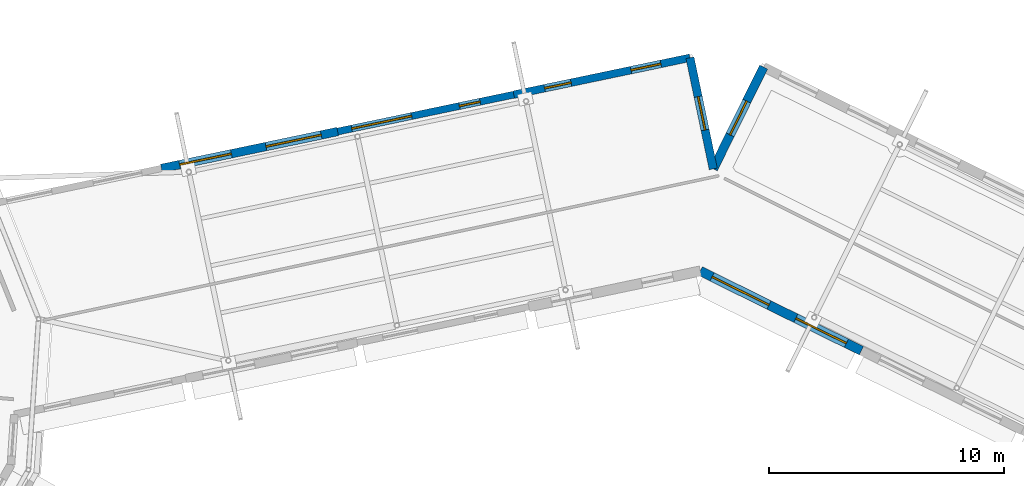
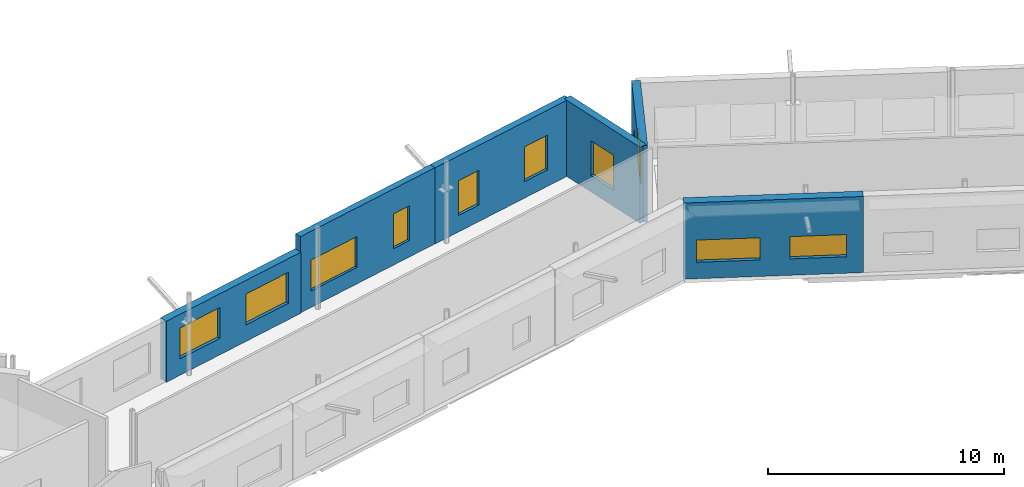
# One storey, part 44 of 68: 10 windows, 6 walls, 10 openings.
"""IFC4 building model written with IfcOpenShell, lengths in metres."""

from ifc_helpers import new_model, si_unit, direction, frame, frame_2d, origin, place, context, subcontext, project, spatial, rectangle, extrude, material, layer, layer_set, type_object, element, fill, save


model = new_model("IFC4")

# Units and contexts
model_context = context("Model", 3, precision=1e-05, world=origin(), true_north=direction((0.0, 1.0)))
body_context = subcontext(model_context, "Body", "Model", "MODEL_VIEW")
ifc_project = project(units=[si_unit("LENGTHUNIT", "METRE"), si_unit("AREAUNIT", "SQUARE_METRE"), si_unit("VOLUMEUNIT", "CUBIC_METRE"), si_unit("PLANEANGLEUNIT", "RADIAN"), si_unit("MASSUNIT", "GRAM", prefix="KILO")], contexts=[model_context])

# Site, building, storey
site_placement = place(None, origin())
site = spatial("IfcSite", under=ifc_project, at=site_placement, CompositionType="ELEMENT")
building_placement = place(site_placement, origin())
building = spatial("IfcBuilding", under=site, at=building_placement, Name="Wrenclough Park School", CompositionType="ELEMENT")
storey_placement = place(building_placement, frame((0.0, 0.0, 12.60009765625)))
storey = spatial("IfcBuildingStorey", under=building, at=storey_placement, Name="L03", CompositionType="ELEMENT", Elevation=12.60009765625)

# Wall, openings, windows
ifc_material_1 = material(Name="Manchester multi-stock brick and Concrete C32/40 inner leaf", Category="masonry")
ifc_layer_1 = layer(ifc_material_1, 0.300048828125)
ifc_layer_set_1 = layer_set([ifc_layer_1], Name="Manchester multi-stock brick and Concrete C32/40 inner leaf")
wall_type_1 = type_object("IfcWallType", Name="ENV-EW-300", PredefinedType="SOLIDWALL", material=ifc_layer_set_1)
wall_1_placement = place(storey_placement, frame((109.985595703125, 118.72509765625, 0.0), z_axis=(0.0, 0.0, 1.0), x_axis=(0.978789137369, 0.204870262772, 0.0)))
wall_1 = element("IfcWall", 1, at=wall_1_placement, inside=storey, type_object=wall_type_1, Name="L03 insulated brick external wall 0280", PredefinedType="SOLIDWALL", context=body_context, shape_type="SweptSolid", body=[
    extrude(rectangle(XDim=7.65185546875, YDim=0.300048828125, at=frame_2d((3.825927734375, 0.0))), origin(), (0.0, 0.0, 1.0), 3.93994140625),
])
opening_1_placement = place(wall_1_placement, frame((0.61279296875, 0.0, 0.85009765625)))
opening_1 = element("IfcOpeningElement", 2, at=opening_1_placement, cuts=wall_1, Name="Opening WN-24", PredefinedType="OPENING", context=body_context, shape_type="SweptSolid", body=[
    extrude(rectangle(XDim=2.60009765625, YDim=1.60009765625, at=frame_2d((1.300048828125, 0.800048828125))), frame((0.0, 0.159912109375, 0.0), z_axis=(0.0, -1.0, 0.0), x_axis=(1.0, 0.0, 0.0)), (0.0, 0.0, 1.0), 0.320068359375),
])
opening_2_placement = place(wall_1_placement, frame((5.288818359375, 0.0, 0.85009765625)))
opening_2 = element("IfcOpeningElement", 3, at=opening_2_placement, cuts=wall_1, Name="Opening WN-25", PredefinedType="OPENING", context=body_context, shape_type="SweptSolid", body=[
    extrude(rectangle(XDim=0.89990234375, YDim=1.800048828125, at=frame_2d((0.449951171875, 0.89990234375))), frame((0.0, 0.159912109375, 0.0), z_axis=(0.0, -1.0, 0.0), x_axis=(1.0, 0.0, 0.0)), (0.0, 0.0, 1.0), 0.320068359375),
])
ifc_material_2 = material(Name="Thermally broken aluminium and double-glazed low-e glass", Category="aluminium")
window_type_1 = type_object("IfcWindowType", Name="ENV-WN-24", PartitioningType="DOUBLE_PANEL_VERTICAL", PredefinedType="WINDOW", material=ifc_material_2)
window_1_placement = place(opening_1_placement, origin())
window_1 = element("IfcWindow", 4, at=window_1_placement, inside=storey, type_object=window_type_1, Name="L03 scheduled facade window 0471", OverallHeight=1.60009765625, OverallWidth=2.60009765625, PartitioningType="SINGLE_PANEL", PredefinedType="WINDOW", context=body_context, shape_type="SweptSolid", body=[
    extrude(rectangle(XDim=2.60009765625, YDim=1.60009765625, at=frame_2d((1.300048828125, 0.800048828125))), frame((0.0, 0.030029296875, 0.0), z_axis=(0.0, -1.0, 0.0), x_axis=(1.0, 0.0, 0.0)), (0.0, 0.0, 1.0), 0.06005859375),
])
fill(opening_1, window_1)
window_type_2 = type_object("IfcWindowType", Name="ENV-WN-25", PartitioningType="SINGLE_PANEL", PredefinedType="WINDOW", material=ifc_material_2)
window_2_placement = place(opening_2_placement, origin())
window_2 = element("IfcWindow", 5, at=window_2_placement, inside=storey, type_object=window_type_2, Name="L03 scheduled facade window 0472", OverallHeight=1.800048828125, OverallWidth=0.89990234375, PartitioningType="SINGLE_PANEL", PredefinedType="WINDOW", context=body_context, shape_type="SweptSolid", body=[
    extrude(rectangle(XDim=0.89990234375, YDim=1.800048828125, at=frame_2d((0.449951171875, 0.89990234375))), frame((0.0, 0.030029296875, 0.0), z_axis=(0.0, -1.0, 0.0), x_axis=(1.0, 0.0, 0.0)), (0.0, 0.0, 1.0), 0.06005859375),
])
fill(opening_2, window_2)

ifc_layer_2 = layer(ifc_material_1, 0.324951171875)
ifc_layer_set_2 = layer_set([ifc_layer_2], Name="Manchester multi-stock brick and Concrete C32/40 inner leaf")
wall_type_2 = type_object("IfcWallType", Name="ENV-EW-325", PredefinedType="SOLIDWALL", material=ifc_layer_set_2)
wall_2_placement = place(storey_placement, frame((117.47509765625, 120.292724609375, 0.0), z_axis=(0.0, 0.0, 1.0), x_axis=(0.978789137369, 0.204870262772, 0.0)))
wall_2 = element("IfcWall", 6, at=wall_2_placement, inside=storey, type_object=wall_type_2, Name="L03 insulated brick external wall 0281", PredefinedType="SOLIDWALL", context=body_context, shape_type="SweptSolid", body=[
    extrude(rectangle(XDim=7.65185546875, YDim=0.324951171875, at=frame_2d((3.825927734375, 0.0))), origin(), (0.0, 0.0, 1.0), 3.93994140625),
])
opening_3_placement = place(wall_2_placement, frame((1.337890625, 0.0, 0.85009765625)))
opening_3 = element("IfcOpeningElement", 7, at=opening_3_placement, cuts=wall_2, Name="Opening WN-26", PredefinedType="OPENING", context=body_context, shape_type="SweptSolid", body=[
    extrude(rectangle(XDim=1.14990234375, YDim=1.800048828125, at=frame_2d((0.574951171875, 0.89990234375))), frame((0.0, 0.17236328125, 0.0), z_axis=(0.0, -1.0, 0.0), x_axis=(1.0, 0.0, 0.0)), (0.0, 0.0, 1.0), 0.344970703125),
])
opening_4_placement = place(wall_2_placement, frame((5.0888671875, 0.0, 0.85009765625)))
opening_4 = element("IfcOpeningElement", 8, at=opening_4_placement, cuts=wall_2, Name="Opening WN-27", PredefinedType="OPENING", context=body_context, shape_type="SweptSolid", body=[
    extrude(rectangle(XDim=1.300048828125, YDim=1.800048828125, at=frame_2d((0.64990234375, 0.89990234375))), frame((0.0, 0.17236328125, 0.0), z_axis=(0.0, -1.0, 0.0), x_axis=(1.0, 0.0, 0.0)), (0.0, 0.0, 1.0), 0.344970703125),
])
window_type_3 = type_object("IfcWindowType", Name="ENV-WN-26", PartitioningType="SINGLE_PANEL", PredefinedType="WINDOW", material=ifc_material_2)
window_3_placement = place(opening_3_placement, origin())
window_3 = element("IfcWindow", 9, at=window_3_placement, inside=storey, type_object=window_type_3, Name="L03 scheduled facade window 0473", OverallHeight=1.800048828125, OverallWidth=1.14990234375, PartitioningType="SINGLE_PANEL", PredefinedType="WINDOW", context=body_context, shape_type="SweptSolid", body=[
    extrude(rectangle(XDim=1.14990234375, YDim=1.800048828125, at=frame_2d((0.574951171875, 0.89990234375))), frame((0.0, 0.030029296875, 0.0), z_axis=(0.0, -1.0, 0.0), x_axis=(1.0, 0.0, 0.0)), (0.0, 0.0, 1.0), 0.06005859375),
])
fill(opening_3, window_3)
window_type_4 = type_object("IfcWindowType", Name="ENV-WN-27", PartitioningType="SINGLE_PANEL", PredefinedType="WINDOW", material=ifc_material_2)
window_4_placement = place(opening_4_placement, origin())
window_4 = element("IfcWindow", 10, at=window_4_placement, inside=storey, type_object=window_type_4, Name="L03 scheduled facade window 0474", OverallHeight=1.800048828125, OverallWidth=1.300048828125, PartitioningType="SINGLE_PANEL", PredefinedType="WINDOW", context=body_context, shape_type="SweptSolid", body=[
    extrude(rectangle(XDim=1.300048828125, YDim=1.800048828125, at=frame_2d((0.64990234375, 0.89990234375))), frame((0.0, 0.030029296875, 0.0), z_axis=(0.0, -1.0, 0.0), x_axis=(1.0, 0.0, 0.0)), (0.0, 0.0, 1.0), 0.06005859375),
])
fill(opening_4, window_4)

# Wall, opening, window
ifc_material_3 = material(Name="Staffordshire blue-grey brick and Concrete C35/45 inner leaf", Category="masonry")
ifc_layer_3 = layer(ifc_material_3, 0.35009765625)
ifc_layer_set_3 = layer_set([ifc_layer_3], Name="Staffordshire blue-grey brick and Concrete C35/45 inner leaf")
wall_type_3 = type_object("IfcWallType", Name="ENV-EW-350", PredefinedType="SOLIDWALL", material=ifc_layer_set_3)
wall_3_placement = place(storey_placement, frame((124.964599609375, 121.8603515625, 0.0), z_axis=(0.0, 0.0, 1.0), x_axis=(0.20488118306, -0.978786851581, 0.0)))
wall_3 = element("IfcWall", 11, at=wall_3_placement, inside=storey, type_object=wall_type_3, Name="L03 insulated brick external wall 0282", PredefinedType="SOLIDWALL", context=body_context, shape_type="SweptSolid", body=[
    extrude(rectangle(XDim=4.8271484375, YDim=0.35009765625, at=frame_2d((2.41357421875, 0.0))), origin(), (0.0, 0.0, 1.0), 3.93994140625),
])
opening_5_placement = place(wall_3_placement, frame((1.6884765625, 0.0, 0.85009765625)))
opening_5 = element("IfcOpeningElement", 12, at=opening_5_placement, cuts=wall_3, Name="Opening WN-28", PredefinedType="OPENING", context=body_context, shape_type="SweptSolid", body=[
    extrude(rectangle(XDim=1.449951171875, YDim=1.800048828125, at=frame_2d((0.72509765625, 0.89990234375))), frame((0.0, 0.18505859375, 0.0), z_axis=(0.0, -1.0, 0.0), x_axis=(1.0, 0.0, 0.0)), (0.0, 0.0, 1.0), 0.3701171875),
])
window_type_5 = type_object("IfcWindowType", Name="ENV-WN-28", PartitioningType="SINGLE_PANEL", PredefinedType="WINDOW", material=ifc_material_2)
window_5_placement = place(opening_5_placement, origin())
window_5 = element("IfcWindow", 13, at=window_5_placement, inside=storey, type_object=window_type_5, Name="L03 scheduled facade window 0475", OverallHeight=1.800048828125, OverallWidth=1.449951171875, PartitioningType="SINGLE_PANEL", PredefinedType="WINDOW", context=body_context, shape_type="SweptSolid", body=[
    extrude(rectangle(XDim=1.449951171875, YDim=1.800048828125, at=frame_2d((0.72509765625, 0.89990234375))), frame((0.0, 0.030029296875, 0.0), z_axis=(0.0, -1.0, 0.0), x_axis=(1.0, 0.0, 0.0)), (0.0, 0.0, 1.0), 0.06005859375),
])
fill(opening_5, window_5)

# Wall, openings, windows
ifc_material_4 = material(Name="Faceted courtyard brick-cavity wall Concrete C35/45", Category="masonry")
ifc_layer_4 = layer(ifc_material_4, 0.364990234375)
ifc_layer_set_4 = layer_set([ifc_layer_4], Name="Faceted courtyard brick-cavity wall Concrete C35/45")
wall_type_4 = type_object("IfcWallType", Name="ENV-EW-365", PredefinedType="SOLIDWALL", material=ifc_layer_set_4)
wall_4_placement = place(storey_placement, frame((102.49609375, 117.15771484375, 0.0), z_axis=(0.0, 0.0, 1.0), x_axis=(0.978795534935, 0.204839695351, 0.0)))
wall_4 = element("IfcWall", 14, at=wall_4_placement, inside=storey, type_object=wall_type_4, Name="L03 insulated brick external wall 0279", PredefinedType="SOLIDWALL", context=body_context, shape_type="SweptSolid", body=[
    extrude(rectangle(XDim=7.65185546875, YDim=0.364990234375, at=frame_2d((3.825927734375, 0.0))), origin(), (0.0, 0.0, 1.0), 3.156982421875),
])
opening_6_placement = place(wall_4_placement, frame((0.787841796875, 0.0, 0.85009765625)))
opening_6 = element("IfcOpeningElement", 15, at=opening_6_placement, cuts=wall_4, Name="Opening WN-22", PredefinedType="OPENING", context=body_context, shape_type="SweptSolid", body=[
    extrude(rectangle(XDim=2.25, YDim=1.60009765625, at=frame_2d((1.125, 0.800048828125))), frame((0.0, 0.1923828125, 0.0), z_axis=(0.0, -1.0, 0.0), x_axis=(1.0, 0.0, 0.0)), (0.0, 0.0, 1.0), 0.385009765625),
])
opening_7_placement = place(wall_4_placement, frame((4.538818359375, 0.0, 0.85009765625)))
opening_7 = element("IfcOpeningElement", 16, at=opening_7_placement, cuts=wall_4, Name="Opening WN-23", PredefinedType="OPENING", context=body_context, shape_type="SweptSolid", body=[
    extrude(rectangle(XDim=2.39990234375, YDim=1.60009765625, at=frame_2d((1.199951171875, 0.800048828125))), frame((0.0, 0.1923828125, 0.0), z_axis=(0.0, -1.0, 0.0), x_axis=(1.0, 0.0, 0.0)), (0.0, 0.0, 1.0), 0.385009765625),
])
window_type_6 = type_object("IfcWindowType", Name="ENV-WN-22", PartitioningType="DOUBLE_PANEL_VERTICAL", PredefinedType="WINDOW", material=ifc_material_2)
window_6_placement = place(opening_6_placement, origin())
window_6 = element("IfcWindow", 17, at=window_6_placement, inside=storey, type_object=window_type_6, Name="L03 scheduled facade window 0469", OverallHeight=1.60009765625, OverallWidth=2.25, PartitioningType="SINGLE_PANEL", PredefinedType="WINDOW", context=body_context, shape_type="SweptSolid", body=[
    extrude(rectangle(XDim=2.25, YDim=1.60009765625, at=frame_2d((1.125, 0.800048828125))), frame((0.0, 0.030029296875, 0.0), z_axis=(0.0, -1.0, 0.0), x_axis=(1.0, 0.0, 0.0)), (0.0, 0.0, 1.0), 0.06005859375),
])
fill(opening_6, window_6)
window_type_7 = type_object("IfcWindowType", Name="ENV-WN-23", PartitioningType="DOUBLE_PANEL_VERTICAL", PredefinedType="WINDOW", material=ifc_material_2)
window_7_placement = place(opening_7_placement, origin())
window_7 = element("IfcWindow", 18, at=window_7_placement, inside=storey, type_object=window_type_7, Name="L03 scheduled facade window 0470", OverallHeight=1.60009765625, OverallWidth=2.39990234375, PartitioningType="SINGLE_PANEL", PredefinedType="WINDOW", context=body_context, shape_type="SweptSolid", body=[
    extrude(rectangle(XDim=2.39990234375, YDim=1.60009765625, at=frame_2d((1.199951171875, 0.800048828125))), frame((0.0, 0.030029296875, 0.0), z_axis=(0.0, -1.0, 0.0), x_axis=(1.0, 0.0, 0.0)), (0.0, 0.0, 1.0), 0.06005859375),
])
fill(opening_7, window_7)

# Wall, opening, window
ifc_material_5 = material(Name="Manchester multi-stock brick and Concrete C35/45 inner leaf", Category="masonry")
ifc_layer_5 = layer(ifc_material_5, 0.3798828125)
ifc_layer_set_5 = layer_set([ifc_layer_5], Name="Manchester multi-stock brick and Concrete C35/45 inner leaf")
wall_type_5 = type_object("IfcWallType", Name="ENV-EW-380", PredefinedType="SOLIDWALL", material=ifc_layer_set_5)
wall_5_placement = place(storey_placement, frame((125.95361328125, 117.135498046875, 0.0), z_axis=(0.0, 0.0, 1.0), x_axis=(0.443507546111, 0.896270638001, 0.0)))
wall_5 = element("IfcWall", 19, at=wall_5_placement, inside=storey, type_object=wall_type_5, Name="L03 insulated brick external wall 0283", PredefinedType="SOLIDWALL", context=body_context, shape_type="SweptSolid", body=[
    extrude(rectangle(XDim=4.8271484375, YDim=0.3798828125, at=frame_2d((2.41357421875, 0.0))), origin(), (0.0, 0.0, 1.0), 3.93994140625),
])
opening_8_placement = place(wall_5_placement, frame((1.613525390625, 0.0, 0.85009765625)))
opening_8 = element("IfcOpeningElement", 20, at=opening_8_placement, cuts=wall_5, Name="Opening WN-29", PredefinedType="OPENING", context=body_context, shape_type="SweptSolid", body=[
    extrude(rectangle(XDim=1.60009765625, YDim=1.800048828125, at=frame_2d((0.800048828125, 0.89990234375))), frame((0.0, 0.199951171875, 0.0), z_axis=(0.0, -1.0, 0.0), x_axis=(1.0, 0.0, 0.0)), (0.0, 0.0, 1.0), 0.39990234375),
])
window_type_8 = type_object("IfcWindowType", Name="ENV-WN-29", PartitioningType="DOUBLE_PANEL_VERTICAL", PredefinedType="WINDOW", material=ifc_material_2)
window_8_placement = place(opening_8_placement, origin())
window_8 = element("IfcWindow", 21, at=window_8_placement, inside=storey, type_object=window_type_8, Name="L03 scheduled facade window 0476", OverallHeight=1.800048828125, OverallWidth=1.60009765625, PartitioningType="SINGLE_PANEL", PredefinedType="WINDOW", context=body_context, shape_type="SweptSolid", body=[
    extrude(rectangle(XDim=1.60009765625, YDim=1.800048828125, at=frame_2d((0.800048828125, 0.89990234375))), frame((0.0, 0.030029296875, 0.0), z_axis=(0.0, -1.0, 0.0), x_axis=(1.0, 0.0, 0.0)), (0.0, 0.0, 1.0), 0.06005859375),
])
fill(opening_8, window_8)

# Wall, openings, windows
ifc_material_6 = material(Name="Staffordshire blue-grey brick and Concrete C40/50 acoustic leaf", Category="masonry")
ifc_layer_6 = layer(ifc_material_6, 0.39990234375)
ifc_layer_set_6 = layer_set([ifc_layer_6], Name="Staffordshire blue-grey brick and Concrete C40/50 acoustic leaf")
wall_type_6 = type_object("IfcWallType", Name="ENV-EW-400", PredefinedType="SOLIDWALL", material=ifc_layer_set_6)
wall_6_placement = place(storey_placement, frame((132.248779296875, 109.4091796875, 0.0), z_axis=(0.0, 0.0, 1.0), x_axis=(-0.896260326182, 0.443528384336, 0.0)))
wall_6 = element("IfcWall", 22, at=wall_6_placement, inside=storey, type_object=wall_type_6, Name="L03 insulated brick external wall 0260", PredefinedType="SOLIDWALL", context=body_context, shape_type="SweptSolid", body=[
    extrude(rectangle(XDim=7.6396484375, YDim=0.39990234375, at=frame_2d((3.81982421875, 0.0))), origin(), (0.0, 0.0, 1.0), 3.93994140625),
])
opening_9_placement = place(wall_6_placement, frame((0.7099609375, 0.0, 0.85009765625)))
opening_9 = element("IfcOpeningElement", 23, at=opening_9_placement, cuts=wall_6, Name="Opening WN-41", PredefinedType="OPENING", context=body_context, shape_type="SweptSolid", body=[
    extrude(rectangle(XDim=2.39990234375, YDim=1.14990234375, at=frame_2d((1.199951171875, 0.574951171875))), frame((0.0, 0.2099609375, 0.0), z_axis=(0.0, -1.0, 0.0), x_axis=(1.0, 0.0, 0.0)), (0.0, 0.0, 1.0), 0.419921875),
])
opening_10_placement = place(wall_6_placement, frame((4.3798828125, 0.0, 0.85009765625)))
opening_10 = element("IfcOpeningElement", 24, at=opening_10_placement, cuts=wall_6, Name="Opening WN-42", PredefinedType="OPENING", context=body_context, shape_type="SweptSolid", body=[
    extrude(rectangle(XDim=2.699951171875, YDim=1.14990234375, at=frame_2d((1.35009765625, 0.574951171875))), frame((0.0, 0.2099609375, 0.0), z_axis=(0.0, -1.0, 0.0), x_axis=(1.0, 0.0, 0.0)), (0.0, 0.0, 1.0), 0.419921875),
])
window_type_9 = type_object("IfcWindowType", Name="ENV-WN-41", PartitioningType="DOUBLE_PANEL_VERTICAL", PredefinedType="WINDOW", material=ifc_material_2)
window_9_placement = place(opening_9_placement, origin())
window_9 = element("IfcWindow", 25, at=window_9_placement, inside=storey, type_object=window_type_9, Name="L03 scheduled facade window 0432", OverallHeight=1.14990234375, OverallWidth=2.39990234375, PartitioningType="SINGLE_PANEL", PredefinedType="WINDOW", context=body_context, shape_type="SweptSolid", body=[
    extrude(rectangle(XDim=2.39990234375, YDim=1.14990234375, at=frame_2d((1.199951171875, 0.574951171875))), frame((0.0, 0.030029296875, 0.0), z_axis=(0.0, -1.0, 0.0), x_axis=(1.0, 0.0, 0.0)), (0.0, 0.0, 1.0), 0.06005859375),
])
fill(opening_9, window_9)
window_type_10 = type_object("IfcWindowType", Name="ENV-WN-42", PartitioningType="DOUBLE_PANEL_VERTICAL", PredefinedType="WINDOW", material=ifc_material_2)
window_10_placement = place(opening_10_placement, origin())
window_10 = element("IfcWindow", 26, at=window_10_placement, inside=storey, type_object=window_type_10, Name="L03 scheduled facade window 0433", OverallHeight=1.14990234375, OverallWidth=2.699951171875, PartitioningType="SINGLE_PANEL", PredefinedType="WINDOW", context=body_context, shape_type="SweptSolid", body=[
    extrude(rectangle(XDim=2.699951171875, YDim=1.14990234375, at=frame_2d((1.35009765625, 0.574951171875))), frame((0.0, 0.030029296875, 0.0), z_axis=(0.0, -1.0, 0.0), x_axis=(1.0, 0.0, 0.0)), (0.0, 0.0, 1.0), 0.06005859375),
])
fill(opening_10, window_10)

save(model, "model.ifc")
